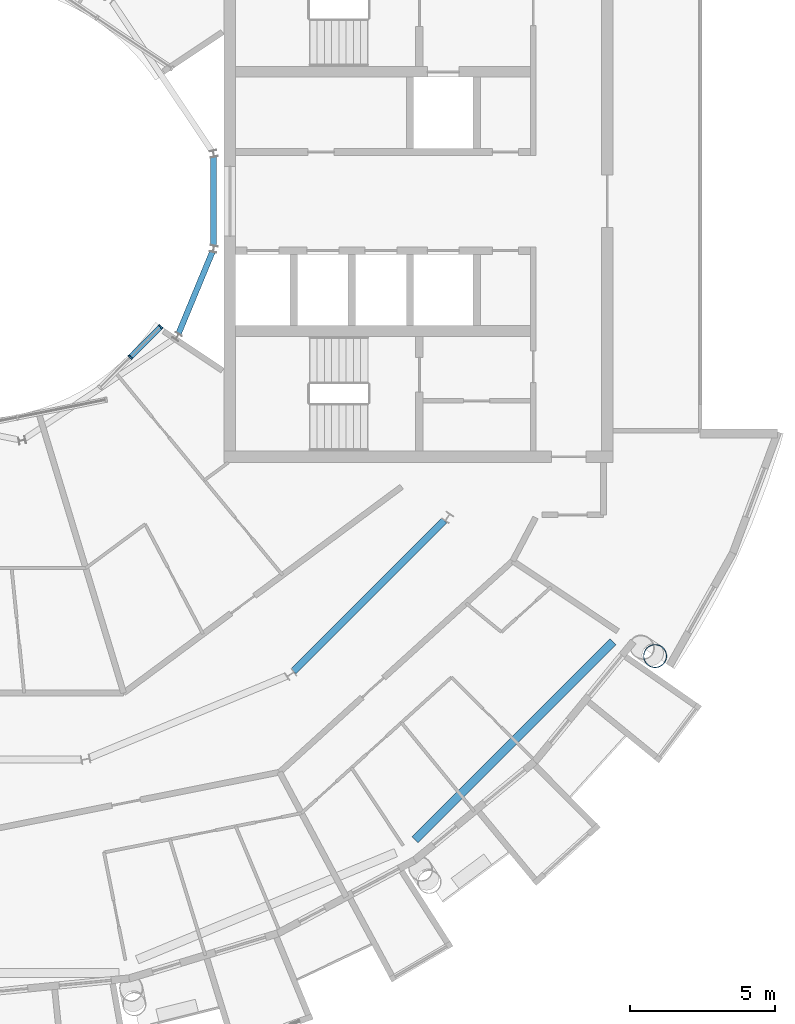
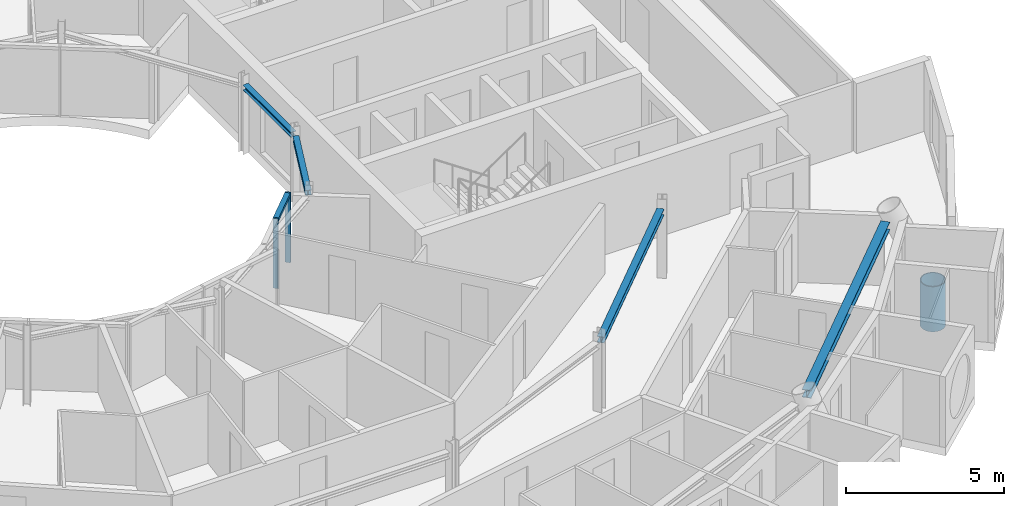
# One storey, part 8 of 28: 4 beams, 4 members, 1 element without a shape of its own.
"""IFC4 building model written with IfcOpenShell, lengths in metres."""

from ifc_helpers import new_model, si_unit, direction, frame, origin, origin_2d, place, context, subcontext, project, spatial, rectangle, hollow_circle, i_section, extrude, material, layer, layer_set, material_profile, profile_set, type_object, element, aggregate, save


model = new_model("IFC4")

# Units and contexts
model_context = context("Model", 3, precision=1e-05, world=origin(), true_north=direction((0.0, 1.0)))
body_context = subcontext(model_context, "Body", "Model", "MODEL_VIEW")
ifc_project = project(units=[si_unit("LENGTHUNIT", "METRE"), si_unit("AREAUNIT", "SQUARE_METRE"), si_unit("VOLUMEUNIT", "CUBIC_METRE"), si_unit("PLANEANGLEUNIT", "RADIAN"), si_unit("MASSUNIT", "GRAM", prefix="KILO")], contexts=[model_context])

# Site, building, storey
site_placement = place(None, origin())
site = spatial("IfcSite", under=ifc_project, at=site_placement, CompositionType="ELEMENT")
building_placement = place(site_placement, origin())
building = spatial("IfcBuilding", under=site, at=building_placement, Name="Maasbend Ring Residences", CompositionType="ELEMENT")
storey_placement = place(building_placement, frame((0.0, 0.0, 231.0)))
storey = spatial("IfcBuildingStorey", under=building, at=storey_placement, Name="L66", CompositionType="ELEMENT", Elevation=231.0)

# Curtain wall, members
ifc_material_1 = material(Name="Aluminium and clear glass", Category="aluminium")
ifc_layer = layer(ifc_material_1, 0.179931640625)
ifc_layer_set = layer_set([ifc_layer], Name="CW-W")
curtain_wall_type = type_object("IfcCurtainWallType", Name="CW-W", PredefinedType="NOTDEFINED", material=ifc_layer_set)
curtain_wall_placement = place(storey_placement, origin())
curtain_wall = element("IfcCurtainWall", 1, at=curtain_wall_placement, inside=storey, type_object=curtain_wall_type, Name="Well curtain wall S3", PredefinedType="NOTDEFINED")
ifc_material_2 = material(Name="Aluminium 6063-T6", Category="aluminium")
ifc_material_profile_1 = material_profile(ifc_material_2, rectangle(XDim=0.179931640625, YDim=0.06005859375, at=origin_2d()), Name="AL 180x60")
ifc_profile_set_1 = profile_set([ifc_material_profile_1], Name="Aluminium 6063-T6")
member_type_1 = type_object("IfcMemberType", Name="CWM-W", PredefinedType="MULLION", material=ifc_profile_set_1)
member_1_placement = place(storey_placement, frame((5.366943359375, -5.366943359375, 0.0), z_axis=(0.0, 0.0, 1.0), x_axis=(-0.707106781187, 0.707106781187, 0.0)))
member_1 = element("IfcMember", 2, at=member_1_placement, type_object=member_type_1, Name="Mullion well face", PredefinedType="MULLION", context=body_context, shape_type="SweptSolid", body=[
    extrude(rectangle(XDim=0.179931640625, YDim=0.06005859375, at=origin_2d()), origin(), (0.0, 0.0, 1.0), 2.699951171875),
])
member_2_placement = place(storey_placement, frame((6.413330078125, -4.320556640625, 0.0), z_axis=(0.0, 0.0, 1.0), x_axis=(-0.707106781187, 0.707106781187, 0.0)))
member_2 = element("IfcMember", 3, at=member_2_placement, type_object=member_type_1, Name="Mullion well face", PredefinedType="MULLION", context=body_context, shape_type="SweptSolid", body=[
    extrude(rectangle(XDim=0.179931640625, YDim=0.06005859375, at=origin_2d()), origin(), (0.0, 0.0, 1.0), 2.699951171875),
])
ifc_material_3 = material(Name="Aluminium 6063-T6", Category="aluminium")
ifc_material_profile_2 = material_profile(ifc_material_3, rectangle(XDim=0.179931640625, YDim=0.1201171875, at=origin_2d()), Name="AL 180x120")
ifc_profile_set_2 = profile_set([ifc_material_profile_2], Name="Aluminium 6063-T6")
member_type_2 = type_object("IfcMemberType", Name="CWT-W", PredefinedType="USERDEFINED", material=ifc_profile_set_2)
member_3_placement = place(storey_placement, frame((5.38818359375, -5.345703125, 2.639892578125), z_axis=(0.707106781187, 0.707106781187, 0.0), x_axis=(-0.707106781187, 0.707106781187, 0.0)))
member_3 = element("IfcMember", 4, at=member_3_placement, type_object=member_type_2, Name="Transom well face", ObjectType="TRANSOM", PredefinedType="USERDEFINED", context=body_context, shape_type="SweptSolid", body=[
    extrude(rectangle(XDim=0.179931640625, YDim=0.1201171875, at=origin_2d()), origin(), (0.0, 0.0, 1.0), 1.419677734375),
])
aggregate(curtain_wall, [member_1, member_2, member_3])

# Member
ifc_material_4 = material(Name="Steel S460NH", Category="steel")
ifc_material_profile_3 = material_profile(ifc_material_4, hollow_circle(Radius=0.406494140625, WallThickness=0.030029296875, at=origin_2d()), Name="Column node insert CHS 813x30")
ifc_profile_set_3 = profile_set([ifc_material_profile_3], Name="Steel S460NH")
member_type_3 = type_object("IfcMemberType", Name="Column node insert CHS 813x30", PredefinedType="POST", material=ifc_profile_set_3)
member_4_placement = place(storey_placement, frame((23.447509765625, -15.6669921875, -1.5), z_axis=(0.0, 0.0, 1.0), x_axis=(1.0, 0.0, 0.0)))
element("IfcMember", 5, at=member_4_placement, inside=storey, type_object=member_type_3, Name="Column node insert R15", PredefinedType="POST", context=body_context, shape_type="SweptSolid", body=[
    extrude(hollow_circle(Radius=0.406494140625, WallThickness=0.030029296875, at=origin_2d()), origin(), (0.0, 0.0, 1.0), 1.74169921875),
])

# Beams
ifc_material_5 = material(Name="Steel S355J2", Category="steel")
ifc_material_profile_4 = material_profile(ifc_material_5, i_section(OverallWidth=0.239990234375, OverallDepth=0.22998046875, WebThickness=0.007568359375, FlangeThickness=0.011962890625, FilletRadius=0.02099609375, at=origin_2d()), Name="HEA 240")
ifc_profile_set_4 = profile_set([ifc_material_profile_4], Name="Steel S355J2")
beam_type_1 = type_object("IfcBeamType", Name="Corridor ring beam HEA 240", PredefinedType="BEAM", material=ifc_profile_set_4)
beam_1_placement = place(storey_placement, frame((10.997314453125, -16.188720703125, 2.5849609375), z_axis=(0.707106781187, 0.707106781187, 0.0), x_axis=(-0.707106781187, 0.707106781187, 0.0)))
element("IfcBeam", 6, at=beam_1_placement, inside=storey, type_object=beam_type_1, Name="Corridor ring beam", PredefinedType="BEAM", context=body_context, shape_type="SweptSolid", body=[
    extrude(i_section(OverallWidth=0.239990234375, OverallDepth=0.22998046875, WebThickness=0.007568359375, FlangeThickness=0.011962890625, FilletRadius=0.02099609375, at=origin_2d()), origin(), (0.0, 0.0, 1.0), 7.341796875),
])
ifc_material_6 = material(Name="Steel S355J2", Category="steel")
ifc_material_profile_5 = material_profile(ifc_material_6, i_section(OverallWidth=0.300048828125, OverallDepth=0.300048828125, WebThickness=0.010986328125, FlangeThickness=0.01904296875, FilletRadius=0.027099609375, at=origin_2d()), Name="HEB 300")
ifc_profile_set_5 = profile_set([ifc_material_profile_5], Name="Steel S355J2")
beam_type_2 = type_object("IfcBeamType", Name="Spandrel ring beam HEB 300", PredefinedType="SPANDREL", material=ifc_profile_set_5)
beam_2_placement = place(storey_placement, frame((15.1767578125, -21.99609375, 2.550048828125), z_axis=(0.707106781187, 0.707106781187, 0.0), x_axis=(-0.707106781187, 0.707106781187, 0.0)))
element("IfcBeam", 7, at=beam_2_placement, inside=storey, type_object=beam_type_2, Name="Spandrel ring beam", PredefinedType="SPANDREL", context=body_context, shape_type="SweptSolid", body=[
    extrude(i_section(OverallWidth=0.300048828125, OverallDepth=0.300048828125, WebThickness=0.010986328125, FlangeThickness=0.01904296875, FilletRadius=0.027099609375, at=origin_2d()), origin(), (0.0, 0.0, 1.0), 9.64404296875),
])
ifc_material_7 = material(Name="Steel S355J2", Category="steel")
ifc_material_profile_6 = material_profile(ifc_material_7, i_section(OverallWidth=0.199951171875, OverallDepth=0.18994140625, WebThickness=0.006591796875, FlangeThickness=0.010009765625, FilletRadius=0.01806640625, at=origin_2d()), Name="HEA 200")
ifc_profile_set_6 = profile_set([ifc_material_profile_6], Name="Steel S355J2")
beam_type_3 = type_object("IfcBeamType", Name="Well edge beam HEA 200", PredefinedType="BEAM", material=ifc_profile_set_6)
for number, where, z_axis, x_axis, name in (
    (8, (7.029296875, -4.55859375, 2.60498046875), (0.382609241817, 0.923910259753, 0.0), (-0.923910259753, 0.382609241817, 0.0), "Well edge beam"),
    (9, (8.238525390625, -1.521484375, 2.60498046875), (0.0, 1.0, 0.0), (-1.0, 0.0, 0.0), "Well edge beam"),
):
    element("IfcBeam", number, at=place(storey_placement, frame(where, z_axis=z_axis, x_axis=x_axis)), inside=storey, type_object=beam_type_3, Name=name, PredefinedType="BEAM", context=body_context, shape_type="SweptSolid", body=[
        extrude(i_section(OverallWidth=0.199951171875, OverallDepth=0.18994140625, WebThickness=0.006591796875, FlangeThickness=0.010009765625, FilletRadius=0.01806640625, at=origin_2d()), origin(), (0.0, 0.0, 1.0), 3.04296875),
    ])

save(model, "model.ifc")
